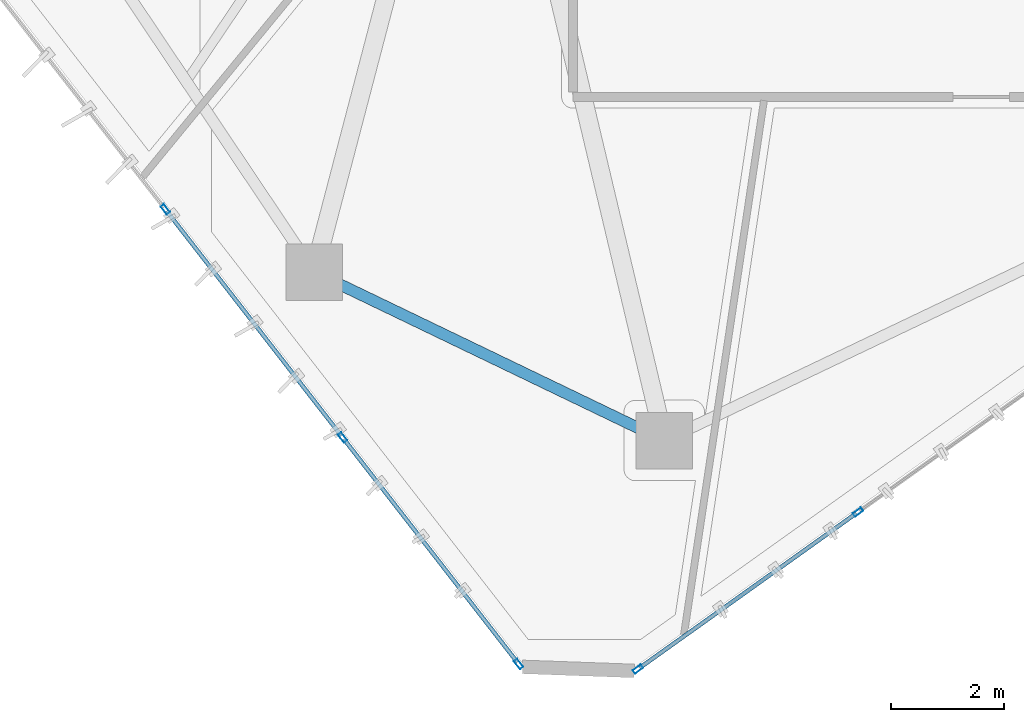
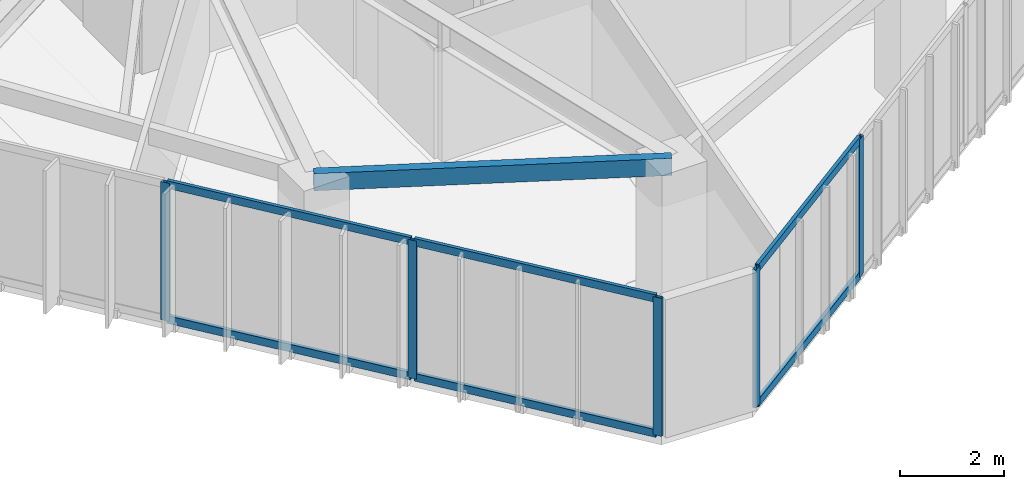
# One storey, part 2 of 19: 11 members, 1 beam, 2 elements without a shape of their own.
"""IFC4 building model written with IfcOpenShell, lengths in metres."""

from ifc_helpers import new_model, si_unit, direction, frame, origin, origin_2d, place, context, subcontext, project, spatial, hollow_rectangle, extrude, source, transform, mapped, material, layer, layer_set, material_profile, profile_set, type_object, type_shapes, element, aggregate, save


model = new_model("IFC4")

# Units and contexts
model_context = context("Model", 3, precision=1e-05, world=origin(), true_north=direction((0.0, 1.0)))
body_context = subcontext(model_context, "Body", "Model", "MODEL_VIEW")
ifc_project = project(units=[si_unit("LENGTHUNIT", "METRE"), si_unit("AREAUNIT", "SQUARE_METRE"), si_unit("VOLUMEUNIT", "CUBIC_METRE"), si_unit("PLANEANGLEUNIT", "RADIAN"), si_unit("MASSUNIT", "GRAM", prefix="KILO")], contexts=[model_context])

# Site, building, storey
site_placement = place(None, origin())
site = spatial("IfcSite", under=ifc_project, at=site_placement, CompositionType="ELEMENT")
building_placement = place(site_placement, origin())
building = spatial("IfcBuilding", under=site, at=building_placement, Name="Talar Marvaseh", CompositionType="ELEMENT")
storey_placement = place(building_placement, frame((0.0, 0.0, 195.0)))
storey = spatial("IfcBuildingStorey", under=building, at=storey_placement, Name="L51", CompositionType="ELEMENT", Elevation=195.0)

# Beam
ifc_material_1 = material(Name="Steel S355", Category="steel")
ifc_material_profile_1 = material_profile(ifc_material_1, hollow_rectangle(XDim=0.199951171875, YDim=0.39990234375, WallThickness=0.013916015625, at=origin_2d()), Name="RHS400x200x14")
ifc_profile_set_1 = profile_set([ifc_material_profile_1], Name="Steel S355")
beam_type = type_object("IfcBeamType", Name="Zone 3 Perimeter Spandrel Beam RHS400x200x14", PredefinedType="SPANDREL", material=ifc_profile_set_1)
beam_placement = place(storey_placement, frame((22.014892578125, 11.51904296875, 3.030029296875), z_axis=(-0.901071562993, 0.433670425975, 0.0), x_axis=(-0.433670425975, -0.901071562993, 0.0)))
element("IfcBeam", 1, at=beam_placement, inside=storey, type_object=beam_type, Name="L51 Zone 3 Perimeter Spandrel Beam RHS400x200x14", PredefinedType="SPANDREL", context=body_context, shape_type="SweptSolid", body=[
    extrude(hollow_rectangle(XDim=0.199951171875, YDim=0.39990234375, WallThickness=0.013916015625, at=origin_2d()), origin(), (0.0, 0.0, 1.0), 6.8759765625),
])

# Curtain wall, members
ifc_material_2 = material(Name="Architectural Aluminium", Category="aluminium")
ifc_layer = layer(ifc_material_2, 0.18994140625)
ifc_layer_set = layer_set([ifc_layer], Name="Architectural Aluminium")
curtain_wall_type = type_object("IfcCurtainWallType", Name="Unitised Solar Atelier Curtain Wall Z3", PredefinedType="NOTDEFINED", material=ifc_layer_set)
curtain_wall_1_placement = place(storey_placement, origin())
curtain_wall_1 = element("IfcCurtainWall", 2, at=curtain_wall_1_placement, inside=storey, type_object=curtain_wall_type, Name="L51 Unitised Solar Atelier Curtain Wall Z3", PredefinedType="NOTDEFINED")
ifc_material_profile_2 = material_profile(ifc_material_2, hollow_rectangle(XDim=0.074951171875, YDim=0.179931640625, WallThickness=0.0048828125, at=origin_2d()), Name="RHS180x75x5")
ifc_profile_set_2 = profile_set([ifc_material_profile_2], Name="Architectural Aluminium")
member_type_1 = type_object("IfcMemberType", Name="Unitised Curtain Wall Standard Mullion RHS180x75x5", PredefinedType="MULLION", material=ifc_profile_set_2)
shared_shape_1 = source(origin(), body_context, "Body", "SweptSolid", [
    extrude(hollow_rectangle(XDim=0.074951171875, YDim=0.179931640625, WallThickness=0.0048828125, at=origin_2d()), origin(), (0.0, 0.0, 1.0), 3.22998046875),
])
type_shapes(member_type_1, [shared_shape_1])
member_1_placement = place(storey_placement, frame((19.4384765625, 7.565673828125, 0.0), z_axis=(0.0, 0.0, 1.0), x_axis=(-0.789661382052, -0.613542909416, 0.0)))
member_1 = element("IfcMember", 3, at=member_1_placement, type_object=member_type_1, Name="CW-Z3 mullion 1", PredefinedType="MULLION", context=body_context, shape_type="MappedRepresentation", body=[
    mapped(shared_shape_1, transform((0.0, 0.0, 0.0), x_axis=(1.0, 0.0, 0.0), y_axis=(0.0, 1.0, 0.0), z_axis=(0.0, 0.0, 1.0), scale=1.0)),
])
member_2_placement = place(storey_placement, frame((16.324462890625, 11.57373046875, 0.0), z_axis=(0.0, 0.0, 1.0), x_axis=(-0.789661382052, -0.613542909416, 0.0)))
member_2 = element("IfcMember", 4, at=member_2_placement, type_object=member_type_1, Name="CW-Z3 mullion 2", PredefinedType="MULLION", context=body_context, shape_type="MappedRepresentation", body=[
    mapped(shared_shape_1, transform((0.0, 0.0, 0.0), x_axis=(1.0, 0.0, 0.0), y_axis=(0.0, 1.0, 0.0), z_axis=(0.0, 0.0, 1.0), scale=1.0)),
])
member_3_placement = place(storey_placement, frame((13.1875, 15.611328125, 0.0), z_axis=(0.0, 0.0, 1.0), x_axis=(-0.789661382052, -0.613542909416, 0.0)))
member_3 = element("IfcMember", 5, at=member_3_placement, type_object=member_type_1, Name="CW-Z3 mullion 3", PredefinedType="MULLION", context=body_context, shape_type="MappedRepresentation", body=[
    mapped(shared_shape_1, transform((0.0, 0.0, 0.0), x_axis=(1.0, 0.0, 0.0), y_axis=(0.0, 1.0, 0.0), z_axis=(0.0, 0.0, 1.0), scale=1.0)),
])

curtain_wall_2_placement = place(storey_placement, origin())
curtain_wall_2 = element("IfcCurtainWall", 6, at=curtain_wall_2_placement, inside=storey, type_object=curtain_wall_type, Name="L51 Unitised Solar Atelier Curtain Wall Z3", PredefinedType="NOTDEFINED")
member_4_placement = place(storey_placement, frame((25.445556640625, 10.25341796875, 0.0), z_axis=(0.0, 0.0, 1.0), x_axis=(0.580830576607, -0.814024472162, 0.0)))
member_4 = element("IfcMember", 7, at=member_4_placement, type_object=member_type_1, Name="CW-Z3 mullion 4", PredefinedType="MULLION", context=body_context, shape_type="MappedRepresentation", body=[
    mapped(shared_shape_1, transform((0.0, 0.0, 0.0), x_axis=(1.0, 0.0, 0.0), y_axis=(0.0, 1.0, 0.0), z_axis=(0.0, 0.0, 1.0), scale=1.0)),
])
member_5_placement = place(storey_placement, frame((21.55078125, 7.474365234375, 0.0), z_axis=(0.0, 0.0, 1.0), x_axis=(0.580830576607, -0.814024472162, 0.0)))
member_5 = element("IfcMember", 8, at=member_5_placement, type_object=member_type_1, Name="CW-Z3 mullion 5", PredefinedType="MULLION", context=body_context, shape_type="MappedRepresentation", body=[
    mapped(shared_shape_1, transform((0.0, 0.0, 0.0), x_axis=(1.0, 0.0, 0.0), y_axis=(0.0, 1.0, 0.0), z_axis=(0.0, 0.0, 1.0), scale=1.0)),
])

# Member
ifc_material_profile_3 = material_profile(ifc_material_2, hollow_rectangle(XDim=0.074951171875, YDim=0.179931640625, WallThickness=0.0048828125, at=origin_2d()), Name="RHS180x75x5")
ifc_profile_set_3 = profile_set([ifc_material_profile_3], Name="Architectural Aluminium")
member_type_2 = type_object("IfcMemberType", Name="Unitised Curtain Wall Transom RHS180x75x5", PredefinedType="USERDEFINED", material=ifc_profile_set_3)
shared_shape_2 = source(origin(), body_context, "Body", "SweptSolid", [
    extrude(hollow_rectangle(XDim=0.074951171875, YDim=0.179931640625, WallThickness=0.0048828125, at=origin_2d()), origin(), (0.0, 0.0, 1.0), 5.0380859375),
])
member_6_placement = place(storey_placement, frame((16.301513671875, 11.603271484375, 0.03759765625), z_axis=(-0.61355136826, 0.789654809715, 0.0), x_axis=(-0.789654809715, -0.61355136826, 0.0)))
member_6 = element("IfcMember", 9, at=member_6_placement, type_object=member_type_2, Name="CW-Z3 transom 2.1", ObjectType="TRANSOM", PredefinedType="USERDEFINED", context=body_context, shape_type="MappedRepresentation", body=[
    mapped(shared_shape_2, transform((0.0, 0.0, 0.0), x_axis=(1.0, 0.0, 0.0), y_axis=(0.0, 1.0, 0.0), z_axis=(0.0, 0.0, 1.0), scale=1.0)),
])

member_7_placement = place(storey_placement, frame((16.301513671875, 11.603271484375, 3.1923828125), z_axis=(-0.61355136826, 0.789654809715, 0.0), x_axis=(-0.789654809715, -0.61355136826, 0.0)))
member_7 = element("IfcMember", 10, at=member_7_placement, type_object=member_type_2, Name="CW-Z3 transom 2.2", ObjectType="TRANSOM", PredefinedType="USERDEFINED", context=body_context, shape_type="MappedRepresentation", body=[
    mapped(shared_shape_2, transform((0.0, 0.0, 0.0), x_axis=(1.0, 0.0, 0.0), y_axis=(0.0, 1.0, 0.0), z_axis=(0.0, 0.0, 1.0), scale=1.0)),
])

shared_shape_3 = source(origin(), body_context, "Body", "SweptSolid", [
    extrude(hollow_rectangle(XDim=0.074951171875, YDim=0.179931640625, WallThickness=0.0048828125, at=origin_2d()), origin(), (0.0, 0.0, 1.0), 5.00048828125),
])
member_8_placement = place(storey_placement, frame((19.41552734375, 7.59521484375, 0.03759765625), z_axis=(-0.613521392382, 0.789678099665, 0.0), x_axis=(-0.789678099665, -0.613521392382, 0.0)))
member_8 = element("IfcMember", 11, at=member_8_placement, type_object=member_type_2, Name="CW-Z3 transom 1.1", ObjectType="TRANSOM", PredefinedType="USERDEFINED", context=body_context, shape_type="MappedRepresentation", body=[
    mapped(shared_shape_3, transform((0.0, 0.0, 0.0), x_axis=(1.0, 0.0, 0.0), y_axis=(0.0, 1.0, 0.0), z_axis=(0.0, 0.0, 1.0), scale=1.0)),
])

member_9_placement = place(storey_placement, frame((19.41552734375, 7.59521484375, 3.1923828125), z_axis=(-0.613521392382, 0.789678099665, 0.0), x_axis=(-0.789678099665, -0.613521392382, 0.0)))
member_9 = element("IfcMember", 12, at=member_9_placement, type_object=member_type_2, Name="CW-Z3 transom 1.2", ObjectType="TRANSOM", PredefinedType="USERDEFINED", context=body_context, shape_type="MappedRepresentation", body=[
    mapped(shared_shape_3, transform((0.0, 0.0, 0.0), x_axis=(1.0, 0.0, 0.0), y_axis=(0.0, 1.0, 0.0), z_axis=(0.0, 0.0, 1.0), scale=1.0)),
])

aggregate(curtain_wall_1, [member_1, member_2, member_3, member_8, member_9, member_6, member_7])

shared_shape_4 = source(origin(), body_context, "Body", "SweptSolid", [
    extrude(hollow_rectangle(XDim=0.074951171875, YDim=0.179931640625, WallThickness=0.0048828125, at=origin_2d()), origin(), (0.0, 0.0, 1.0), 4.70947265625),
])
type_shapes(member_type_2, [shared_shape_2, shared_shape_3, shared_shape_4])
member_10_placement = place(storey_placement, frame((25.4150390625, 10.2314453125, 0.03759765625), z_axis=(-0.814038092474, -0.580811487491, 0.0), x_axis=(0.580811487491, -0.814038092474, 0.0)))
member_10 = element("IfcMember", 13, at=member_10_placement, type_object=member_type_2, Name="CW-Z3 transom 4.1", ObjectType="TRANSOM", PredefinedType="USERDEFINED", context=body_context, shape_type="MappedRepresentation", body=[
    mapped(shared_shape_4, transform((0.0, 0.0, 0.0), x_axis=(1.0, 0.0, 0.0), y_axis=(0.0, 1.0, 0.0), z_axis=(0.0, 0.0, 1.0), scale=1.0)),
])

member_11_placement = place(storey_placement, frame((25.4150390625, 10.2314453125, 3.1923828125), z_axis=(-0.814038092474, -0.580811487491, 0.0), x_axis=(0.580811487491, -0.814038092474, 0.0)))
member_11 = element("IfcMember", 14, at=member_11_placement, type_object=member_type_2, Name="CW-Z3 transom 4.2", ObjectType="TRANSOM", PredefinedType="USERDEFINED", context=body_context, shape_type="MappedRepresentation", body=[
    mapped(shared_shape_4, transform((0.0, 0.0, 0.0), x_axis=(1.0, 0.0, 0.0), y_axis=(0.0, 1.0, 0.0), z_axis=(0.0, 0.0, 1.0), scale=1.0)),
])

aggregate(curtain_wall_2, [member_4, member_5, member_10, member_11])

save(model, "model.ifc")
